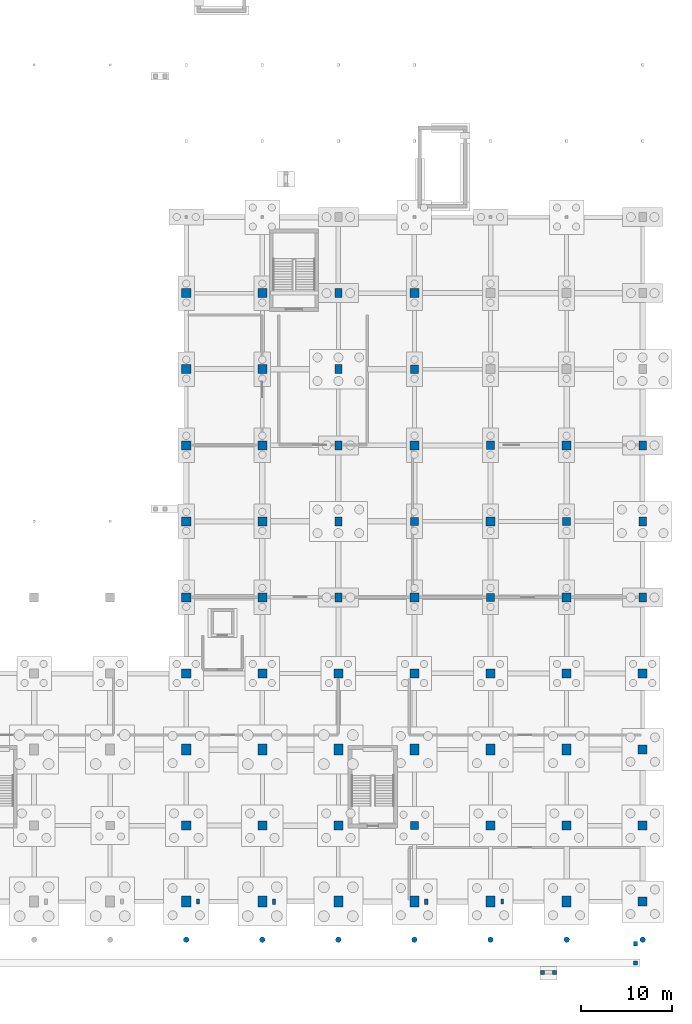
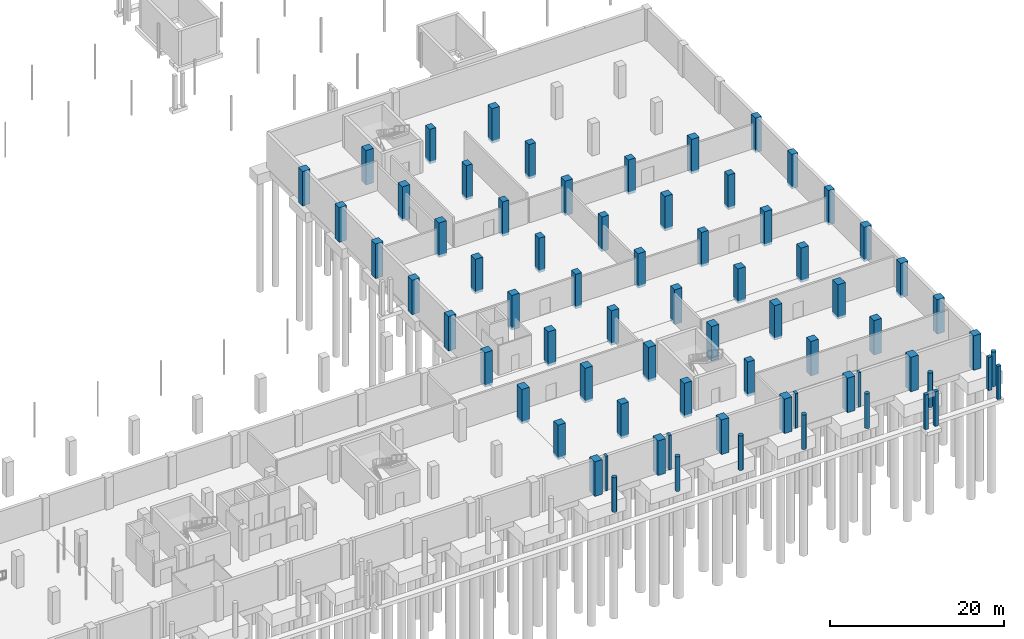
# One storey, part 23 of 39: 72 columns.
"""IFC4 building model written with IfcOpenShell, lengths in metres."""

from ifc_helpers import new_model, si_unit, derived_unit, direction, frame, origin, origin_2d, place, context, subcontext, project, spatial, rectangle, circle, extrude, material, material_profile, profile_set, type_object, element, save


model = new_model("IFC4")

# Units and contexts
model_context = context("Model", 3, precision=1e-05, world=origin(), true_north=direction((0.0, 1.0)))
body_context = subcontext(model_context, "Body", "Model", "MODEL_VIEW")
ifc_project = project(units=[si_unit("LENGTHUNIT", "METRE"), si_unit("AREAUNIT", "SQUARE_METRE"), si_unit("VOLUMEUNIT", "CUBIC_METRE"), si_unit("PLANEANGLEUNIT", "RADIAN"), si_unit("MASSUNIT", "GRAM", prefix="KILO"), derived_unit("THERMALTRANSMITTANCEUNIT", [(si_unit("POWERUNIT", "WATT"), 1), (si_unit("LENGTHUNIT", "METRE"), -2), (si_unit("THERMODYNAMICTEMPERATUREUNIT", "KELVIN"), -1)])], contexts=[model_context])

# Site, building, storey
site_placement = place(None, origin())
site = spatial("IfcSite", under=ifc_project, at=site_placement, CompositionType="ELEMENT")
building_placement = place(site_placement, origin())
building = spatial("IfcBuilding", under=site, at=building_placement, Name="Barrovel Congress Hotel", CompositionType="ELEMENT")
storey_placement = place(building_placement, frame((0.0, 0.0, -4.5)))
storey = spatial("IfcBuildingStorey", under=building, at=storey_placement, Name="B01", CompositionType="ELEMENT", Elevation=-4.5)

# Columns
ifc_material_1 = material(Name="Concrete C40", Category="concrete")
ifc_material_profile_1 = material_profile(ifc_material_1, circle(Radius=0.300048828125, at=origin_2d()), Name="RC-D600")
ifc_profile_set_1 = profile_set([ifc_material_profile_1], Name="Concrete C40")
column_type_1 = type_object("IfcColumnType", Name="COL-RC-D600", PredefinedType="COLUMN", material=ifc_profile_set_1)
for number, where, z_axis, x_axis, name in (
    (1, (126.0, 0.0, -0.360107421875), (0.0, 0.0, 1.0), (1.0, 0.0, 0.0), "COL:B01:126.0:0.0"),
    (2, (134.39990234375, 0.0, -0.360107421875), (0.0, 0.0, 1.0), (1.0, 0.0, 0.0), "COL:B01:134.4:0.0"),
    (3, (142.800048828125, 0.0, -0.360107421875), (0.0, 0.0, 1.0), (1.0, 0.0, 0.0), "COL:B01:142.8:0.0"),
    (4, (151.199951171875, 0.0, -0.360107421875), (0.0, 0.0, 1.0), (1.0, 0.0, 0.0), "COL:B01:151.2:0.0"),
    (5, (159.60009765625, 0.0, -0.360107421875), (0.0, 0.0, 1.0), (1.0, 0.0, 0.0), "COL:B01:159.6:0.0"),
    (6, (168.0, 0.0, -0.360107421875), (0.0, 0.0, 1.0), (1.0, 0.0, 0.0), "COL:B01:168.0:0.0"),
    (7, (176.39990234375, 0.0, -0.360107421875), (0.0, 0.0, 1.0), (1.0, 0.0, 0.0), "COL:B01:176.4:0.0"),
):
    element("IfcColumn", number, at=place(storey_placement, frame(where, z_axis=z_axis, x_axis=x_axis)), inside=storey, type_object=column_type_1, Name=name, PredefinedType="COLUMN", context=body_context, shape_type="SweptSolid", body=[
        extrude(circle(Radius=0.300048828125, at=origin_2d()), origin(), (0.0, 0.0, 1.0), 4.860107421875),
    ])
ifc_material_2 = material(Name="Concrete C50", Category="concrete")
ifc_material_profile_2 = material_profile(ifc_material_2, rectangle(XDim=1.0, YDim=1.0, at=origin_2d()), Name="RC1000x1000")
ifc_profile_set_2 = profile_set([ifc_material_profile_2], Name="Concrete C50")
column_type_2 = type_object("IfcColumnType", Name="COL-RC1000x1000", PredefinedType="COLUMN", material=ifc_profile_set_2)
for number, where, z_axis, x_axis, name in (
    (8, (126.0, 12.60009765625, -0.360107421875), (0.0, 0.0, 1.0), (1.0, 0.0, 0.0), "COL:B01:126.0:12.6"),
    (9, (126.0, 29.39990234375, -0.360107421875), (0.0, 0.0, 1.0), (1.0, 0.0, 0.0), "COL:B01:126.0:29.4"),
    (10, (126.0, 37.800048828125, -0.360107421875), (0.0, 0.0, 1.0), (1.0, 0.0, 0.0), "COL:B01:126.0:37.8"),
    (11, (126.0, 46.199951171875, -0.360107421875), (0.0, 0.0, 1.0), (1.0, 0.0, 0.0), "COL:B01:126.0:46.2"),
    (12, (126.0, 54.60009765625, -0.360107421875), (0.0, 0.0, 1.0), (1.0, 0.0, 0.0), "COL:B01:126.0:54.6"),
    (13, (126.0, 63.0, -0.360107421875), (0.0, 0.0, 1.0), (1.0, 0.0, 0.0), "COL:B01:126.0:63.0"),
    (14, (126.0, 71.39990234375, -0.360107421875), (0.0, 0.0, 1.0), (1.0, 0.0, 0.0), "COL:B01:126.0:71.4"),
    (15, (134.39990234375, 12.60009765625, -0.360107421875), (0.0, 0.0, 1.0), (1.0, 0.0, 0.0), "COL:B01:134.4:12.6"),
    (16, (134.39990234375, 29.39990234375, -0.360107421875), (0.0, 0.0, 1.0), (1.0, 0.0, 0.0), "COL:B01:134.4:29.4"),
    (17, (134.39990234375, 37.800048828125, -0.360107421875), (0.0, 0.0, 1.0), (1.0, 0.0, 0.0), "COL:B01:134.4:37.8"),
    (18, (134.39990234375, 46.199951171875, -0.360107421875), (0.0, 0.0, 1.0), (1.0, 0.0, 0.0), "COL:B01:134.4:46.2"),
    (19, (134.39990234375, 54.60009765625, -0.360107421875), (0.0, 0.0, 1.0), (1.0, 0.0, 0.0), "COL:B01:134.4:54.6"),
    (20, (134.39990234375, 63.0, -0.360107421875), (0.0, 0.0, 1.0), (1.0, 0.0, 0.0), "COL:B01:134.4:63.0"),
    (21, (134.39990234375, 71.39990234375, -0.360107421875), (0.0, 0.0, 1.0), (1.0, 0.0, 0.0), "COL:B01:134.4:71.4"),
    (22, (142.800048828125, 12.60009765625, -0.360107421875), (0.0, 0.0, 1.0), (1.0, 0.0, 0.0), "COL:B01:142.8:12.6"),
    (23, (142.800048828125, 29.39990234375, -0.360107421875), (0.0, 0.0, 1.0), (1.0, 0.0, 0.0), "COL:B01:142.8:29.4"),
    (24, (151.199951171875, 29.39990234375, -0.360107421875), (0.0, 0.0, 1.0), (1.0, 0.0, 0.0), "COL:B01:151.2:29.4"),
    (25, (151.199951171875, 37.800048828125, -0.360107421875), (0.0, 0.0, 1.0), (1.0, 0.0, 0.0), "COL:B01:151.2:37.8"),
    (26, (151.199951171875, 54.60009765625, -0.360107421875), (0.0, 0.0, 1.0), (1.0, 0.0, 0.0), "COL:B01:151.2:54.6"),
    (27, (151.199951171875, 71.39990234375, -0.360107421875), (0.0, 0.0, 1.0), (1.0, 0.0, 0.0), "COL:B01:151.2:71.4"),
    (28, (159.60009765625, 12.60009765625, -0.360107421875), (0.0, 0.0, 1.0), (1.0, 0.0, 0.0), "COL:B01:159.6:12.6"),
    (29, (159.60009765625, 29.39990234375, -0.360107421875), (0.0, 0.0, 1.0), (1.0, 0.0, 0.0), "COL:B01:159.6:29.4"),
    (30, (159.60009765625, 46.199951171875, -0.360107421875), (0.0, 0.0, 1.0), (1.0, 0.0, 0.0), "COL:B01:159.6:46.2"),
    (31, (168.0, 12.60009765625, -0.360107421875), (0.0, 0.0, 1.0), (1.0, 0.0, 0.0), "COL:B01:168.0:12.6"),
    (32, (168.0, 29.39990234375, -0.360107421875), (0.0, 0.0, 1.0), (1.0, 0.0, 0.0), "COL:B01:168.0:29.4"),
    (33, (168.0, 37.800048828125, -0.360107421875), (0.0, 0.0, 1.0), (1.0, 0.0, 0.0), "COL:B01:168.0:37.8"),
    (34, (168.0, 54.60009765625, -0.360107421875), (0.0, 0.0, 1.0), (1.0, 0.0, 0.0), "COL:B01:168.0:54.6"),
    (35, (176.39990234375, 4.199951171875, -0.360107421875), (0.0, 0.0, 1.0), (1.0, 0.0, 0.0), "COL:B01:176.4:4.2"),
    (36, (176.39990234375, 12.60009765625, -0.360107421875), (0.0, 0.0, 1.0), (1.0, 0.0, 0.0), "COL:B01:176.4:12.6"),
    (37, (176.39990234375, 21.0, -0.360107421875), (0.0, 0.0, 1.0), (1.0, 0.0, 0.0), "COL:B01:176.4:21.0"),
    (38, (176.39990234375, 29.39990234375, -0.360107421875), (0.0, 0.0, 1.0), (1.0, 0.0, 0.0), "COL:B01:176.4:29.4"),
):
    element("IfcColumn", number, at=place(storey_placement, frame(where, z_axis=z_axis, x_axis=x_axis)), inside=storey, type_object=column_type_2, Name=name, PredefinedType="COLUMN", context=body_context, shape_type="SweptSolid", body=[
        extrude(rectangle(XDim=1.0, YDim=1.0, at=origin_2d()), origin(), (0.0, 0.0, 1.0), 4.860107421875),
    ])
ifc_material_profile_3 = material_profile(ifc_material_2, rectangle(XDim=1.0, YDim=1.199951171875, at=origin_2d()), Name="RC1000x1200")
ifc_profile_set_3 = profile_set([ifc_material_profile_3], Name="Concrete C50")
column_type_3 = type_object("IfcColumnType", Name="COL-RC1000x1200", PredefinedType="COLUMN", material=ifc_profile_set_3)
for number, where, z_axis, x_axis, name in (
    (39, (126.0, 4.199951171875, -0.360107421875), (0.0, 0.0, 1.0), (1.0, 0.0, 0.0), "COL:B01:126.0:4.2"),
    (40, (126.0, 21.0, -0.360107421875), (0.0, 0.0, 1.0), (1.0, 0.0, 0.0), "COL:B01:126.0:21.0"),
    (41, (134.39990234375, 4.199951171875, -0.360107421875), (0.0, 0.0, 1.0), (1.0, 0.0, 0.0), "COL:B01:134.4:4.2"),
    (42, (134.39990234375, 21.0, -0.360107421875), (0.0, 0.0, 1.0), (1.0, 0.0, 0.0), "COL:B01:134.4:21.0"),
    (43, (142.800048828125, 4.199951171875, -0.360107421875), (0.0, 0.0, 1.0), (1.0, 0.0, 0.0), "COL:B01:142.8:4.2"),
    (44, (142.800048828125, 21.0, -0.360107421875), (0.0, 0.0, 1.0), (1.0, 0.0, 0.0), "COL:B01:142.8:21.0"),
    (45, (151.199951171875, 4.199951171875, -0.360107421875), (0.0, 0.0, 1.0), (1.0, 0.0, 0.0), "COL:B01:151.2:4.2"),
    (46, (151.199951171875, 21.0, -0.360107421875), (0.0, 0.0, 1.0), (1.0, 0.0, 0.0), "COL:B01:151.2:21.0"),
    (47, (159.60009765625, 4.199951171875, -0.360107421875), (0.0, 0.0, 1.0), (1.0, 0.0, 0.0), "COL:B01:159.6:4.2"),
    (48, (159.60009765625, 21.0, -0.360107421875), (0.0, 0.0, 1.0), (1.0, 0.0, 0.0), "COL:B01:159.6:21.0"),
    (49, (168.0, 4.199951171875, -0.360107421875), (0.0, 0.0, 1.0), (1.0, 0.0, 0.0), "COL:B01:168.0:4.2"),
    (50, (168.0, 21.0, -0.360107421875), (0.0, 0.0, 1.0), (1.0, 0.0, 0.0), "COL:B01:168.0:21.0"),
):
    element("IfcColumn", number, at=place(storey_placement, frame(where, z_axis=z_axis, x_axis=x_axis)), inside=storey, type_object=column_type_3, Name=name, PredefinedType="COLUMN", context=body_context, shape_type="SweptSolid", body=[
        extrude(rectangle(XDim=1.0, YDim=1.199951171875, at=origin_2d()), origin(), (0.0, 0.0, 1.0), 4.860107421875),
    ])
ifc_material_profile_4 = material_profile(ifc_material_1, rectangle(XDim=0.449951171875, YDim=0.449951171875, at=origin_2d()), Name="RC450x450")
ifc_profile_set_4 = profile_set([ifc_material_profile_4], Name="Concrete C40")
column_type_4 = type_object("IfcColumnType", Name="COL-RC450x450", PredefinedType="COLUMN", material=ifc_profile_set_4)
for number, where, z_axis, x_axis, name in (
    (51, (175.60009765625, -2.550048828125, -0.360107421875), (0.0, 0.0, 1.0), (1.0, 0.0, 0.0), "COL:PAV-SOUTH-E:2"),
    (52, (175.60009765625, -0.449951171875, -0.360107421875), (0.0, 0.0, 1.0), (1.0, 0.0, 0.0), "COL:PAV-SOUTH-E:3"),
):
    element("IfcColumn", number, at=place(storey_placement, frame(where, z_axis=z_axis, x_axis=x_axis)), inside=storey, type_object=column_type_4, Name=name, PredefinedType="COLUMN", context=body_context, shape_type="SweptSolid", body=[
        extrude(rectangle(XDim=0.449951171875, YDim=0.449951171875, at=origin_2d()), origin(), (0.0, 0.0, 1.0), 4.68017578125),
    ])
for number, where, z_axis, x_axis, name in (
    (53, (166.64990234375, -3.60009765625, -0.360107421875), (0.0, 0.0, 1.0), (1.0, 0.0, 0.0), "COL:RAMP:R-04:F1:1:A"),
    (54, (165.35009765625, -3.60009765625, -0.360107421875), (0.0, 0.0, 1.0), (1.0, 0.0, 0.0), "COL:RAMP:R-04:F1:1:B"),
):
    element("IfcColumn", number, at=place(storey_placement, frame(where, z_axis=z_axis, x_axis=x_axis)), inside=storey, type_object=column_type_4, Name=name, PredefinedType="COLUMN", context=body_context, shape_type="SweptSolid", body=[
        extrude(rectangle(XDim=0.449951171875, YDim=0.449951171875, at=origin_2d()), origin(), (0.0, 0.0, 1.0), 4.89013671875),
    ])
ifc_material_profile_5 = material_profile(ifc_material_1, rectangle(XDim=0.800048828125, YDim=1.0, at=origin_2d()), Name="RC800x1000")
ifc_profile_set_5 = profile_set([ifc_material_profile_5], Name="Concrete C40")
column_type_5 = type_object("IfcColumnType", Name="COL-RC800x1000", PredefinedType="COLUMN", material=ifc_profile_set_5)
for number, where, z_axis, x_axis, name in (
    (55, (142.800048828125, 37.800048828125, -0.360107421875), (0.0, 0.0, 1.0), (1.0, 0.0, 0.0), "COL:B01:142.8:37.8"),
    (56, (142.800048828125, 46.199951171875, -0.360107421875), (0.0, 0.0, 1.0), (1.0, 0.0, 0.0), "COL:B01:142.8:46.2"),
    (57, (142.800048828125, 54.60009765625, -0.360107421875), (0.0, 0.0, 1.0), (1.0, 0.0, 0.0), "COL:B01:142.8:54.6"),
    (58, (142.800048828125, 63.0, -0.360107421875), (0.0, 0.0, 1.0), (1.0, 0.0, 0.0), "COL:B01:142.8:63.0"),
    (59, (142.800048828125, 71.39990234375, -0.360107421875), (0.0, 0.0, 1.0), (1.0, 0.0, 0.0), "COL:B01:142.8:71.4"),
    (60, (176.39990234375, 37.800048828125, -0.360107421875), (0.0, 0.0, 1.0), (1.0, 0.0, 0.0), "COL:B01:176.4:37.8"),
    (61, (176.39990234375, 46.199951171875, -0.360107421875), (0.0, 0.0, 1.0), (1.0, 0.0, 0.0), "COL:B01:176.4:46.2"),
    (62, (176.39990234375, 54.60009765625, -0.360107421875), (0.0, 0.0, 1.0), (1.0, 0.0, 0.0), "COL:B01:176.4:54.6"),
):
    element("IfcColumn", number, at=place(storey_placement, frame(where, z_axis=z_axis, x_axis=x_axis)), inside=storey, type_object=column_type_5, Name=name, PredefinedType="COLUMN", context=body_context, shape_type="SweptSolid", body=[
        extrude(rectangle(XDim=0.800048828125, YDim=1.0, at=origin_2d()), origin(), (0.0, 0.0, 1.0), 4.860107421875),
    ])
ifc_material_profile_6 = material_profile(ifc_material_1, rectangle(XDim=0.89990234375, YDim=0.89990234375, at=origin_2d()), Name="RC900x900")
ifc_profile_set_6 = profile_set([ifc_material_profile_6], Name="Concrete C40")
column_type_6 = type_object("IfcColumnType", Name="COL-RC900x900", PredefinedType="COLUMN", material=ifc_profile_set_6)
for number, where, z_axis, x_axis, name in (
    (63, (151.199951171875, 12.60009765625, -0.360107421875), (0.0, 0.0, 1.0), (1.0, 0.0, 0.0), "COL:B01:151.2:12.6"),
    (64, (151.199951171875, 46.199951171875, -0.360107421875), (0.0, 0.0, 1.0), (1.0, 0.0, 0.0), "COL:B01:151.2:46.2"),
    (65, (151.199951171875, 63.0, -0.360107421875), (0.0, 0.0, 1.0), (1.0, 0.0, 0.0), "COL:B01:151.2:63.0"),
    (66, (159.60009765625, 37.800048828125, -0.360107421875), (0.0, 0.0, 1.0), (1.0, 0.0, 0.0), "COL:B01:159.6:37.8"),
    (67, (159.60009765625, 54.60009765625, -0.360107421875), (0.0, 0.0, 1.0), (1.0, 0.0, 0.0), "COL:B01:159.6:54.6"),
    (68, (168.0, 46.199951171875, -0.360107421875), (0.0, 0.0, 1.0), (1.0, 0.0, 0.0), "COL:B01:168.0:46.2"),
):
    element("IfcColumn", number, at=place(storey_placement, frame(where, z_axis=z_axis, x_axis=x_axis)), inside=storey, type_object=column_type_6, Name=name, PredefinedType="COLUMN", context=body_context, shape_type="SweptSolid", body=[
        extrude(rectangle(XDim=0.89990234375, YDim=0.89990234375, at=origin_2d()), origin(), (0.0, 0.0, 1.0), 4.860107421875),
    ])
ifc_material_profile_7 = material_profile(ifc_material_1, rectangle(XDim=0.300048828125, YDim=0.550048828125, at=origin_2d()), Name="RC300x550")
ifc_profile_set_7 = profile_set([ifc_material_profile_7], Name="Concrete C40")
column_type_7 = type_object("IfcColumnType", Name="PIL-RC300x550", PredefinedType="PILASTER", material=ifc_profile_set_7)
for number, where, z_axis, x_axis, name in (
    (69, (127.300048828125, 4.199951171875, -0.360107421875), (0.0, 0.0, 1.0), (1.0, 0.0, 0.0), "PIL:B01:S:127.3"),
    (70, (160.89990234375, 4.199951171875, -0.360107421875), (0.0, 0.0, 1.0), (1.0, 0.0, 0.0), "PIL:B01:S:160.9"),
):
    element("IfcColumn", number, at=place(storey_placement, frame(where, z_axis=z_axis, x_axis=x_axis)), inside=storey, type_object=column_type_7, Name=name, PredefinedType="PILASTER", context=body_context, shape_type="SweptSolid", body=[
        extrude(rectangle(XDim=0.300048828125, YDim=0.550048828125, at=origin_2d()), origin(), (0.0, 0.0, 1.0), 4.860107421875),
    ])
ifc_material_profile_8 = material_profile(ifc_material_1, rectangle(XDim=0.35009765625, YDim=0.60009765625, at=origin_2d()), Name="RC350x600")
ifc_profile_set_8 = profile_set([ifc_material_profile_8], Name="Concrete C40")
column_type_8 = type_object("IfcColumnType", Name="PIL-RC350x600", PredefinedType="PILASTER", material=ifc_profile_set_8)
for number, where, z_axis, x_axis, name in (
    (71, (135.699951171875, 4.199951171875, -0.360107421875), (0.0, 0.0, 1.0), (1.0, 0.0, 0.0), "PIL:B01:S:135.7"),
    (72, (152.5, 4.199951171875, -0.360107421875), (0.0, 0.0, 1.0), (1.0, 0.0, 0.0), "PIL:B01:S:152.5"),
):
    element("IfcColumn", number, at=place(storey_placement, frame(where, z_axis=z_axis, x_axis=x_axis)), inside=storey, type_object=column_type_8, Name=name, PredefinedType="PILASTER", context=body_context, shape_type="SweptSolid", body=[
        extrude(rectangle(XDim=0.35009765625, YDim=0.60009765625, at=origin_2d()), origin(), (0.0, 0.0, 1.0), 4.860107421875),
    ])

save(model, "model.ifc")
